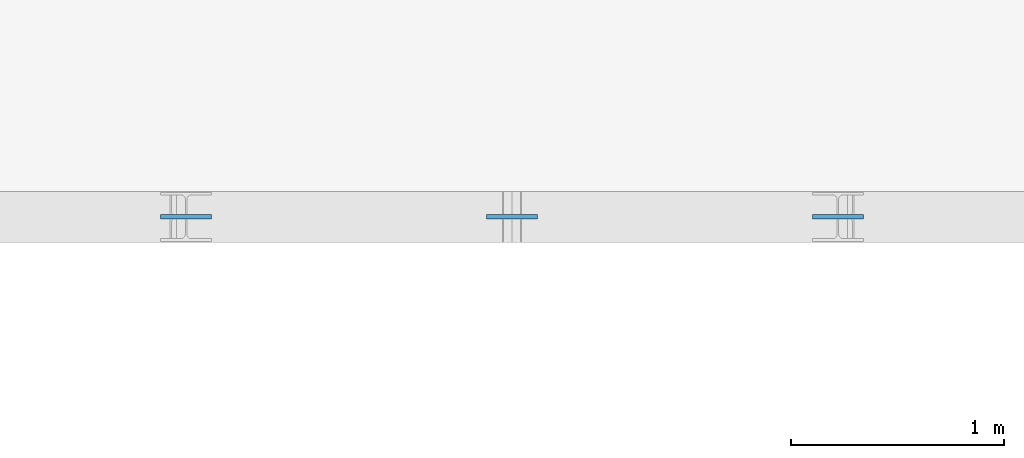
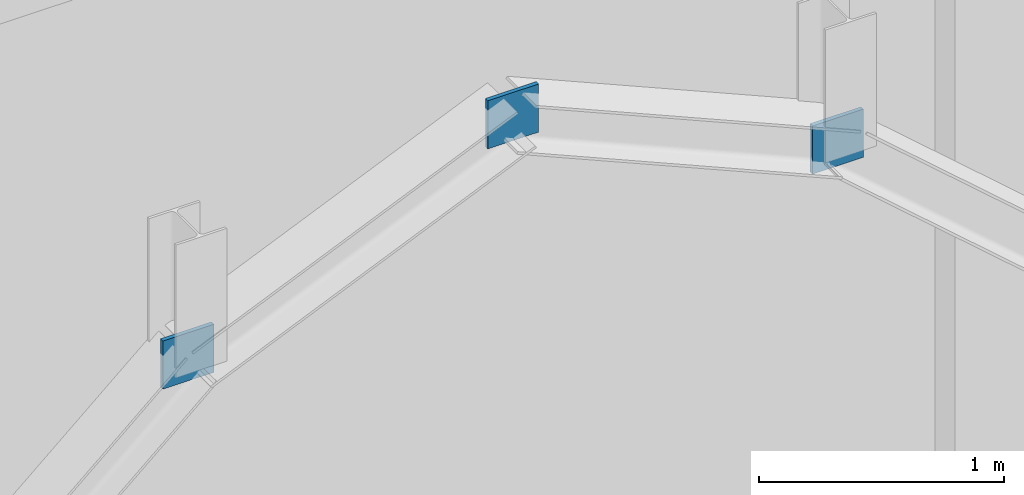
# One storey, part 74 of 138: 3 plates.
"""IFC4 building model written with IfcOpenShell, lengths in metres."""

from ifc_helpers import new_model, si_unit, direction, frame, origin, origin_2d, place, context, subcontext, project, spatial, rectangle, extrude, material, layer, layer_set, type_object, element, save


model = new_model("IFC4")

# Units and contexts
model_context = context("Model", 3, precision=1e-05, world=origin(), true_north=direction((0.0, 1.0)))
body_context = subcontext(model_context, "Body", "Model", "MODEL_VIEW")
ifc_project = project(units=[si_unit("LENGTHUNIT", "METRE"), si_unit("AREAUNIT", "SQUARE_METRE"), si_unit("VOLUMEUNIT", "CUBIC_METRE"), si_unit("PLANEANGLEUNIT", "RADIAN"), si_unit("MASSUNIT", "GRAM", prefix="KILO"), si_unit("THERMODYNAMICTEMPERATUREUNIT", "KELVIN"), si_unit("POWERUNIT", "WATT")], contexts=[model_context])

# Site, building, storey
site_placement = place(None, origin())
site = spatial("IfcSite", under=ifc_project, at=site_placement, CompositionType="ELEMENT")
building_placement = place(site_placement, origin())
building = spatial("IfcBuilding", under=site, at=building_placement, Name="Tavuni Mirador Residences", CompositionType="ELEMENT")
storey_placement = place(building_placement, origin())
storey = spatial("IfcBuildingStorey", under=building, at=storey_placement, Name="L00", CompositionType="ELEMENT", Elevation=0.0)

# Plates
ifc_material = material(Name="Structural steel S355", Category="steel")
ifc_layer = layer(ifc_material, 0.01806640625, Name="Structural steel S355", Category="steel")
ifc_layer_set = layer_set([ifc_layer], Name="Structural steel S355")
plate_type = type_object("IfcPlateType", Name="PLT-GP05", PredefinedType="USERDEFINED", material=ifc_layer_set)
for number, where, z_axis, x_axis, name in (
    (1, (70.46875, 69.60009765625, 6.181640625), (0.0, 0.0, 1.0), (1.0, 0.0, 0.0), "ARCH-HALL-S-04-GQ1"),
    (2, (72.0, 69.60009765625, 6.84326171875), (0.0, 0.0, 1.0), (1.0, 0.0, 0.0), "ARCH-HALL-S-04-GCR"),
    (3, (73.53125, 69.60009765625, 6.181640625), (0.0, 0.0, 1.0), (1.0, 0.0, 0.0), "ARCH-HALL-S-04-GQ2"),
):
    element("IfcPlate", number, at=place(storey_placement, frame(where, z_axis=z_axis, x_axis=x_axis)), inside=storey, type_object=plate_type, Name=name, ObjectType="GUSSET PLATE", PredefinedType="USERDEFINED", context=body_context, shape_type="SweptSolid", body=[
        extrude(rectangle(XDim=0.239990234375, YDim=0.02001953125, at=origin_2d()), origin(), (0.0, 0.0, 1.0), 0.239990234375),
    ])

save(model, "model.ifc")
